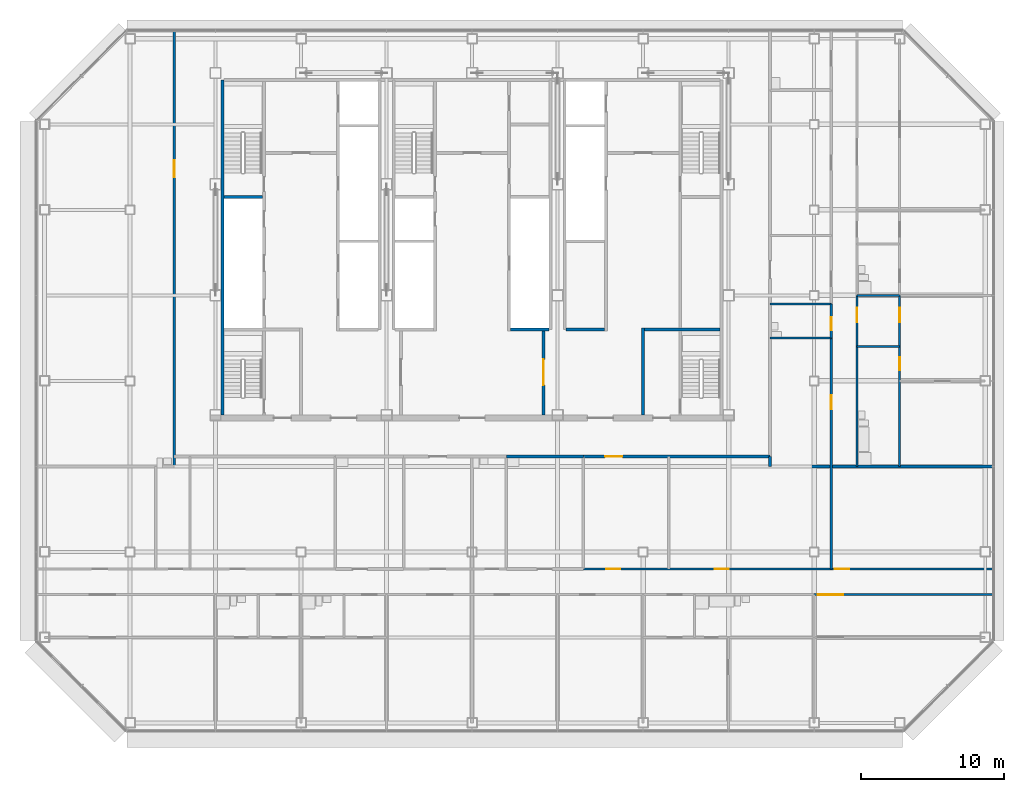
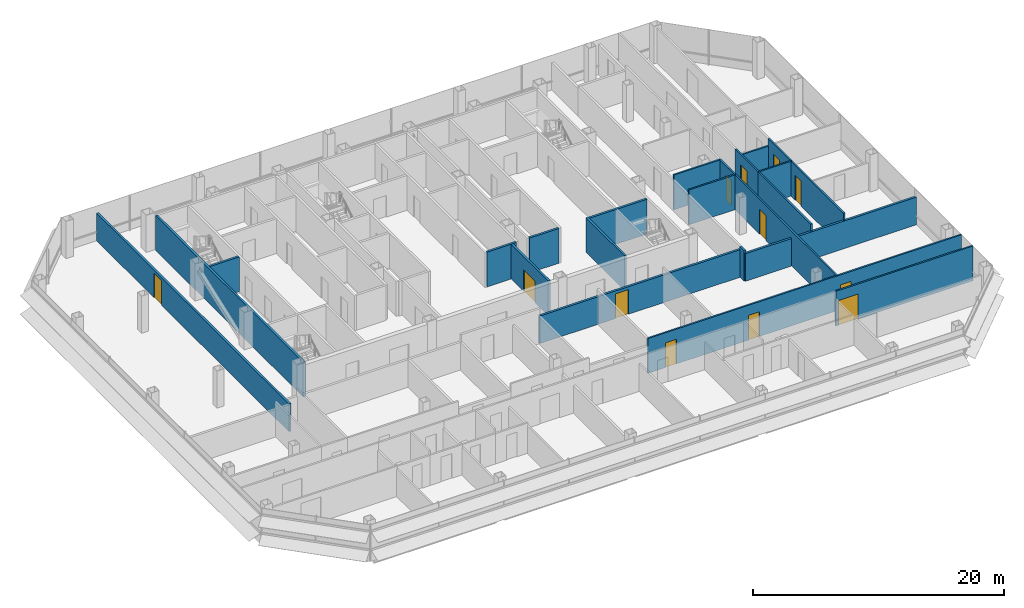
# One storey, part 21 of 26: 24 walls, 12 doors, 12 openings.
"""IFC4 building model written with IfcOpenShell, lengths in metres."""

from ifc_helpers import new_model, si_unit, direction, frame, frame_2d, origin, place, context, subcontext, project, spatial, rectangle, extrude, material, layer, layer_set, type_object, element, fill, save


model = new_model("IFC4")

# Units and contexts
model_context = context("Model", 3, precision=1e-05, world=origin(), true_north=direction((0.0, 1.0)))
body_context = subcontext(model_context, "Body", "Model", "MODEL_VIEW")
ifc_project = project(units=[si_unit("LENGTHUNIT", "METRE"), si_unit("AREAUNIT", "SQUARE_METRE"), si_unit("VOLUMEUNIT", "CUBIC_METRE"), si_unit("PLANEANGLEUNIT", "RADIAN"), si_unit("MASSUNIT", "GRAM", prefix="KILO")], contexts=[model_context])

# Site, building, storey
site_placement = place(None, origin())
site = spatial("IfcSite", under=ifc_project, at=site_placement, CompositionType="ELEMENT")
building_placement = place(site_placement, origin())
building = spatial("IfcBuilding", under=site, at=building_placement, Name="Sorahane Residences", CompositionType="ELEMENT")
storey_placement = place(building_placement, frame((0.0, 0.0, 158.199951171875)))
storey = spatial("IfcBuildingStorey", under=building, at=storey_placement, Name="L36", CompositionType="ELEMENT", Elevation=158.199951171875)

# Wall
ifc_material_1 = material(Name="Concrete C30", Category="concrete")
ifc_layer_1 = layer(ifc_material_1, 0.199951171875)
ifc_layer_set_1 = layer_set([ifc_layer_1], Name="Core face wall 200 EI 180")
wall_type_1 = type_object("IfcWallType", Name="Core face wall 200 EI 180", PredefinedType="SOLIDWALL", material=ifc_layer_set_1)
wall_1_placement = place(storey_placement, frame((6.5, 21.60009765625, 0.0), z_axis=(0.0, 0.0, 1.0), x_axis=(0.0, 1.0, 0.0)))
element("IfcWall", 1, at=wall_1_placement, inside=storey, type_object=wall_type_1, Name="L36 core face wall", PredefinedType="SOLIDWALL", context=body_context, shape_type="SweptSolid", body=[
    extrude(rectangle(XDim=23.5, YDim=0.199951171875, at=frame_2d((11.75, 0.0))), origin(), (0.0, 0.0, 1.0), 3.380126953125),
])

# Wall, opening, door
ifc_material_2 = material(Name="Concrete blockwork C20 wall", Category="masonry")
ifc_layer_2 = layer(ifc_material_2, 0.199951171875)
ifc_layer_set_2 = layer_set([ifc_layer_2], Name="Corridor wall 200 EI 120")
wall_type_2 = type_object("IfcWallType", Name="Corridor wall 200 EI 120", PredefinedType="SOLIDWALL", material=ifc_layer_set_2)
wall_2_placement = place(storey_placement, frame((3.10009765625, 18.0, 0.0), z_axis=(0.0, 0.0, 1.0), x_axis=(0.0, 1.0, 0.0)))
wall_2 = element("IfcWall", 2, at=wall_2_placement, inside=storey, type_object=wall_type_2, Name="L36 corridor wall", PredefinedType="SOLIDWALL", context=body_context, shape_type="SweptSolid", body=[
    extrude(rectangle(XDim=30.60009765625, YDim=0.199951171875, at=frame_2d((15.300048828125, 0.0))), origin(), (0.0, 0.0, 1.0), 2.679931640625),
])
opening_1_placement = place(wall_2_placement, frame((20.27001953125, 0.0, 0.0)))
opening_1 = element("IfcOpeningElement", 3, at=opening_1_placement, cuts=wall_2, Name="Opening L36-45", PredefinedType="OPENING", context=body_context, shape_type="SweptSolid", body=[
    extrude(rectangle(XDim=1.199951171875, YDim=2.39990234375, at=frame_2d((0.60009765625, 1.199951171875))), frame((0.0, 0.10986328125, 0.0), z_axis=(0.0, -1.0, 0.0), x_axis=(1.0, 0.0, 0.0)), (0.0, 0.0, 1.0), 0.219970703125),
])
ifc_material_3 = material(Name="Steel", Category="steel")
door_type_1 = type_object("IfcDoorType", Name="Lobby door 1200x2400 FD60", OperationType="NOTDEFINED", PredefinedType="DOOR", material=ifc_material_3)
door_1_placement = place(opening_1_placement, origin())
door_1 = element("IfcDoor", 4, at=door_1_placement, inside=storey, type_object=door_type_1, Name="Lobby door L36-45", OperationType="SINGLE_SWING_RIGHT", OverallHeight=2.39990234375, OverallWidth=1.199951171875, PredefinedType="DOOR", context=body_context, shape_type="SweptSolid", body=[
    extrude(rectangle(XDim=1.199951171875, YDim=2.39990234375, at=frame_2d((0.60009765625, 1.199951171875))), frame((0.0, 0.02490234375, 0.0), z_axis=(0.0, -1.0, 0.0), x_axis=(1.0, 0.0, 0.0)), (0.0, 0.0, 1.0), 0.050048828125),
])
fill(opening_1, door_1)

wall_3_placement = place(storey_placement, frame((31.800048828125, 18.699951171875, 0.0), z_axis=(0.0, 0.0, 1.0), x_axis=(1.0, 0.0, 0.0)))
wall_3 = element("IfcWall", 5, at=wall_3_placement, inside=storey, type_object=wall_type_2, Name="L36 corridor wall", PredefinedType="SOLIDWALL", context=body_context, shape_type="SweptSolid", body=[
    extrude(rectangle(XDim=13.099853515625, YDim=0.199951171875, at=frame_2d((6.5498046875, 0.0))), origin(), (0.0, 0.0, 1.0), 2.679931640625),
])
opening_2_placement = place(wall_3_placement, frame((1.5400390625, 0.0, 0.0)))
opening_2 = element("IfcOpeningElement", 6, at=opening_2_placement, cuts=wall_3, Name="Opening L36-43", PredefinedType="OPENING", context=body_context, shape_type="SweptSolid", body=[
    extrude(rectangle(XDim=1.199951171875, YDim=2.39990234375, at=frame_2d((0.60009765625, 1.199951171875))), frame((0.0, 0.10986328125, 0.0), z_axis=(0.0, -1.0, 0.0), x_axis=(1.0, 0.0, 0.0)), (0.0, 0.0, 1.0), 0.219970703125),
])
ifc_material_4 = material(Name="Timber veneered fire door", Category="wood")
door_type_2 = type_object("IfcDoorType", Name="Flat entrance door 1200x2400 FD60", OperationType="NOTDEFINED", PredefinedType="DOOR", material=ifc_material_4)
door_2_placement = place(opening_2_placement, frame((1.199951171875, 0.0, 0.0), z_axis=(0.0, 0.0, 1.0), x_axis=(-1.0, 0.0, 0.0)))
door_2 = element("IfcDoor", 7, at=door_2_placement, inside=storey, type_object=door_type_2, Name="Flat entrance door L36-43", OperationType="SINGLE_SWING_RIGHT", OverallHeight=2.39990234375, OverallWidth=1.199951171875, PredefinedType="DOOR", context=body_context, shape_type="SweptSolid", body=[
    extrude(rectangle(XDim=1.199951171875, YDim=2.39990234375, at=frame_2d((0.60009765625, 1.199951171875))), frame((0.0, 0.02490234375, 0.0), z_axis=(0.0, -1.0, 0.0), x_axis=(1.0, 0.0, 0.0)), (0.0, 0.0, 1.0), 0.050048828125),
])
fill(opening_2, door_2)

# Walls
ifc_material_5 = material(Name="Concrete C30", Category="concrete")
ifc_layer_3 = layer(ifc_material_5, 0.199951171875)
ifc_layer_set_3 = layer_set([ifc_layer_3], Name="Front room wall 200 EI 120")
wall_type_3 = type_object("IfcWallType", Name="Front room wall 200 EI 120", PredefinedType="PARTITIONING", material=ifc_layer_set_3)
wall_4_placement = place(storey_placement, frame((36.0, 21.60009765625, 0.0), z_axis=(0.0, 0.0, 1.0), x_axis=(0.0, 1.0, 0.0)))
element("IfcWall", 8, at=wall_4_placement, inside=storey, type_object=wall_type_3, Name="L36 front room wall", PredefinedType="PARTITIONING", context=body_context, shape_type="SweptSolid", body=[
    extrude(rectangle(XDim=6.099853515625, YDim=0.199951171875, at=frame_2d((3.0498046875, 0.0))), origin(), (0.0, 0.0, 1.0), 3.380126953125),
])
ifc_material_6 = material(Name="Concrete blockwork C20 wall", Category="masonry")
ifc_layer_4 = layer(ifc_material_6, 0.199951171875)
ifc_layer_set_4 = layer_set([ifc_layer_4], Name="Kitchen wall 200 EI 180")
wall_type_4 = type_object("IfcWallType", Name="Kitchen wall 200 EI 180", PredefinedType="SOLIDWALL", material=ifc_layer_set_4)
wall_5_placement = place(storey_placement, frame((26.39990234375, 18.699951171875, 0.0), z_axis=(0.0, 0.0, 1.0), x_axis=(1.0, 0.0, 0.0)))
element("IfcWall", 9, at=wall_5_placement, inside=storey, type_object=wall_type_4, Name="L36 kitchen wall", PredefinedType="SOLIDWALL", context=body_context, shape_type="SweptSolid", body=[
    extrude(rectangle(XDim=5.400146484375, YDim=0.199951171875, at=frame_2d((2.7001953125, 0.0))), origin(), (0.0, 0.0, 1.0), 2.679931640625),
])
ifc_material_7 = material(Name="Concrete C30", Category="concrete")
ifc_layer_5 = layer(ifc_material_7, 0.199951171875)
ifc_layer_set_5 = layer_set([ifc_layer_5], Name="Lift shaft wall 200 EI 120")
wall_type_5 = type_object("IfcWallType", Name="Lift shaft wall 200 EI 120", PredefinedType="SOLIDWALL", material=ifc_layer_set_5)
wall_6_placement = place(storey_placement, frame((30.60009765625, 27.60009765625, 0.0), z_axis=(0.0, 0.0, 1.0), x_axis=(1.0, 0.0, 0.0)))
element("IfcWall", 10, at=wall_6_placement, inside=storey, type_object=wall_type_5, Name="L36 lift shaft wall", PredefinedType="SOLIDWALL", context=body_context, shape_type="SweptSolid", body=[
    extrude(rectangle(XDim=2.699951171875, YDim=0.199951171875, at=frame_2d((1.35009765625, 0.0))), origin(), (0.0, 0.0, 1.0), 3.380126953125),
])

# Wall, opening, door
ifc_material_8 = material(Name="Gypsum board partition on steel studs", Category="steel")
ifc_layer_6 = layer(ifc_material_8, 0.14990234375)
ifc_layer_set_6 = layer_set([ifc_layer_6], Name="Partition 150 EI 90")
wall_type_6 = type_object("IfcWallType", Name="Partition 150 EI 90", PredefinedType="PARTITIONING", material=ifc_layer_set_6)
wall_7_placement = place(storey_placement, frame((49.199951171875, 10.800048828125, 0.0), z_axis=(0.0, 0.0, 1.0), x_axis=(0.0, 1.0, 0.0)))
wall_7 = element("IfcWall", 11, at=wall_7_placement, inside=storey, type_object=wall_type_6, Name="L36 partition", PredefinedType="PARTITIONING", context=body_context, shape_type="SweptSolid", body=[
    extrude(rectangle(XDim=16.199951171875, YDim=0.14990234375, at=frame_2d((8.10009765625, 0.0))), origin(), (0.0, 0.0, 1.0), 3.380126953125),
])
opening_3_placement = place(wall_7_placement, frame((11.199951171875, 0.0, 0.0)))
opening_3 = element("IfcOpeningElement", 12, at=opening_3_placement, cuts=wall_7, Name="Opening L36-29", PredefinedType="OPENING", context=body_context, shape_type="SweptSolid", body=[
    extrude(rectangle(XDim=1.0, YDim=2.39990234375, at=frame_2d((0.5, 1.199951171875))), frame((0.0, 0.0849609375, 0.0), z_axis=(0.0, -1.0, 0.0), x_axis=(1.0, 0.0, 0.0)), (0.0, 0.0, 1.0), 0.169921875),
])
ifc_material_9 = material(Name="Timber veneered fire door", Category="wood")
door_type_3 = type_object("IfcDoorType", Name="Room door 1000x2400 FD30", OperationType="NOTDEFINED", PredefinedType="DOOR", material=ifc_material_9)
door_3_placement = place(opening_3_placement, origin())
door_3 = element("IfcDoor", 13, at=door_3_placement, inside=storey, type_object=door_type_3, Name="Room door L36-29", OperationType="SINGLE_SWING_RIGHT", OverallHeight=2.39990234375, OverallWidth=1.0, PredefinedType="DOOR", context=body_context, shape_type="SweptSolid", body=[
    extrude(rectangle(XDim=1.0, YDim=2.39990234375, at=frame_2d((0.5, 1.199951171875))), frame((0.0, 0.02490234375, 0.0), z_axis=(0.0, -1.0, 0.0), x_axis=(1.0, 0.0, 0.0)), (0.0, 0.0, 1.0), 0.050048828125),
])
fill(opening_3, door_3)

wall_8_placement = place(storey_placement, frame((51.0, 26.39990234375, 0.0), z_axis=(0.0, 0.0, 1.0), x_axis=(0.0, 1.0, 0.0)))
wall_8 = element("IfcWall", 14, at=wall_8_placement, inside=storey, type_object=wall_type_6, Name="L36 partition", PredefinedType="PARTITIONING", context=body_context, shape_type="SweptSolid", body=[
    extrude(rectangle(XDim=3.60009765625, YDim=0.14990234375, at=frame_2d((1.800048828125, 0.0))), origin(), (0.0, 0.0, 1.0), 3.380126953125),
])
opening_4_placement = place(wall_8_placement, frame((1.719970703125, 0.0, 0.0)))
opening_4 = element("IfcOpeningElement", 15, at=opening_4_placement, cuts=wall_8, Name="Opening L36-33", PredefinedType="OPENING", context=body_context, shape_type="SweptSolid", body=[
    extrude(rectangle(XDim=1.0, YDim=2.39990234375, at=frame_2d((0.5, 1.199951171875))), frame((0.0, 0.0849609375, 0.0), z_axis=(0.0, -1.0, 0.0), x_axis=(1.0, 0.0, 0.0)), (0.0, 0.0, 1.0), 0.169921875),
])
door_4_placement = place(opening_4_placement, frame((1.0, 0.0, 0.0), z_axis=(0.0, 0.0, 1.0), x_axis=(-1.0, 0.0, 0.0)))
door_4 = element("IfcDoor", 16, at=door_4_placement, inside=storey, type_object=door_type_3, Name="Room door L36-33", OperationType="SINGLE_SWING_LEFT", OverallHeight=2.39990234375, OverallWidth=1.0, PredefinedType="DOOR", context=body_context, shape_type="SweptSolid", body=[
    extrude(rectangle(XDim=1.0, YDim=2.39990234375, at=frame_2d((0.5, 1.199951171875))), frame((0.0, 0.02490234375, 0.0), z_axis=(0.0, -1.0, 0.0), x_axis=(1.0, 0.0, 0.0)), (0.0, 0.0, 1.0), 0.050048828125),
])
fill(opening_4, door_4)

wall_9_placement = place(storey_placement, frame((54.0, 26.39990234375, 0.0), z_axis=(0.0, 0.0, 1.0), x_axis=(0.0, 1.0, 0.0)))
wall_9 = element("IfcWall", 17, at=wall_9_placement, inside=storey, type_object=wall_type_6, Name="L36 partition", PredefinedType="PARTITIONING", context=body_context, shape_type="SweptSolid", body=[
    extrude(rectangle(XDim=3.60009765625, YDim=0.14990234375, at=frame_2d((1.800048828125, 0.0))), origin(), (0.0, 0.0, 1.0), 3.380126953125),
])
opening_5_placement = place(wall_9_placement, frame((1.719970703125, 0.0, 0.0)))
opening_5 = element("IfcOpeningElement", 18, at=opening_5_placement, cuts=wall_9, Name="Opening L36-36", PredefinedType="OPENING", context=body_context, shape_type="SweptSolid", body=[
    extrude(rectangle(XDim=1.0, YDim=2.39990234375, at=frame_2d((0.5, 1.199951171875))), frame((0.0, 0.0849609375, 0.0), z_axis=(0.0, -1.0, 0.0), x_axis=(1.0, 0.0, 0.0)), (0.0, 0.0, 1.0), 0.169921875),
])
door_5_placement = place(opening_5_placement, frame((1.0, 0.0, 0.0), z_axis=(0.0, 0.0, 1.0), x_axis=(-1.0, 0.0, 0.0)))
door_5 = element("IfcDoor", 19, at=door_5_placement, inside=storey, type_object=door_type_3, Name="Room door L36-36", OperationType="SINGLE_SWING_LEFT", OverallHeight=2.39990234375, OverallWidth=1.0, PredefinedType="DOOR", context=body_context, shape_type="SweptSolid", body=[
    extrude(rectangle(XDim=1.0, YDim=2.39990234375, at=frame_2d((0.5, 1.199951171875))), frame((0.0, 0.02490234375, 0.0), z_axis=(0.0, -1.0, 0.0), x_axis=(1.0, 0.0, 0.0)), (0.0, 0.0, 1.0), 0.050048828125),
])
fill(opening_5, door_5)

# Wall, openings, doors
wall_10_placement = place(storey_placement, frame((31.800048828125, 10.800048828125, 0.0), z_axis=(0.0, 0.0, 1.0), x_axis=(1.0, 0.0, 0.0)))
wall_10 = element("IfcWall", 20, at=wall_10_placement, inside=storey, type_object=wall_type_6, Name="L36 partition", PredefinedType="PARTITIONING", context=body_context, shape_type="SweptSolid", body=[
    extrude(rectangle(XDim=28.800048828125, YDim=0.14990234375, at=frame_2d((14.39990234375, 0.0))), origin(), (0.0, 0.0, 1.0), 3.380126953125),
])
opening_6_placement = place(wall_10_placement, frame((1.60009765625, 0.0, 0.0)))
opening_6 = element("IfcOpeningElement", 21, at=opening_6_placement, cuts=wall_10, Name="Opening L36-15", PredefinedType="OPENING", context=body_context, shape_type="SweptSolid", body=[
    extrude(rectangle(XDim=1.0, YDim=2.39990234375, at=frame_2d((0.5, 1.199951171875))), frame((0.0, 0.0849609375, 0.0), z_axis=(0.0, -1.0, 0.0), x_axis=(1.0, 0.0, 0.0)), (0.0, 0.0, 1.0), 0.169921875),
])
opening_7_placement = place(wall_10_placement, frame((9.219970703125, 0.0, 0.0)))
opening_7 = element("IfcOpeningElement", 22, at=opening_7_placement, cuts=wall_10, Name="Opening L36-18", PredefinedType="OPENING", context=body_context, shape_type="SweptSolid", body=[
    extrude(rectangle(XDim=1.0, YDim=2.39990234375, at=frame_2d((0.5, 1.199951171875))), frame((0.0, 0.0849609375, 0.0), z_axis=(0.0, -1.0, 0.0), x_axis=(1.0, 0.0, 0.0)), (0.0, 0.0, 1.0), 0.169921875),
])
opening_8_placement = place(wall_10_placement, frame((17.64990234375, 0.0, 0.0)))
opening_8 = element("IfcOpeningElement", 23, at=opening_8_placement, cuts=wall_10, Name="Opening L36-19", PredefinedType="OPENING", context=body_context, shape_type="SweptSolid", body=[
    extrude(rectangle(XDim=1.0, YDim=2.39990234375, at=frame_2d((0.5, 1.199951171875))), frame((0.0, 0.0849609375, 0.0), z_axis=(0.0, -1.0, 0.0), x_axis=(1.0, 0.0, 0.0)), (0.0, 0.0, 1.0), 0.169921875),
])
door_6_placement = place(opening_6_placement, frame((1.0, 0.0, 0.0), z_axis=(0.0, 0.0, 1.0), x_axis=(-1.0, 0.0, 0.0)))
door_6 = element("IfcDoor", 24, at=door_6_placement, inside=storey, type_object=door_type_3, Name="Room door L36-15", OperationType="SINGLE_SWING_LEFT", OverallHeight=2.39990234375, OverallWidth=1.0, PredefinedType="DOOR", context=body_context, shape_type="SweptSolid", body=[
    extrude(rectangle(XDim=1.0, YDim=2.39990234375, at=frame_2d((0.5, 1.199951171875))), frame((0.0, 0.02490234375, 0.0), z_axis=(0.0, -1.0, 0.0), x_axis=(1.0, 0.0, 0.0)), (0.0, 0.0, 1.0), 0.050048828125),
])
fill(opening_6, door_6)
door_7_placement = place(opening_7_placement, origin())
door_7 = element("IfcDoor", 25, at=door_7_placement, inside=storey, type_object=door_type_3, Name="Room door L36-18", OperationType="SINGLE_SWING_LEFT", OverallHeight=2.39990234375, OverallWidth=1.0, PredefinedType="DOOR", context=body_context, shape_type="SweptSolid", body=[
    extrude(rectangle(XDim=1.0, YDim=2.39990234375, at=frame_2d((0.5, 1.199951171875))), frame((0.0, 0.02490234375, 0.0), z_axis=(0.0, -1.0, 0.0), x_axis=(1.0, 0.0, 0.0)), (0.0, 0.0, 1.0), 0.050048828125),
])
fill(opening_7, door_7)
door_8_placement = place(opening_8_placement, origin())
door_8 = element("IfcDoor", 26, at=door_8_placement, inside=storey, type_object=door_type_3, Name="Room door L36-19", OperationType="SINGLE_SWING_LEFT", OverallHeight=2.39990234375, OverallWidth=1.0, PredefinedType="DOOR", context=body_context, shape_type="SweptSolid", body=[
    extrude(rectangle(XDim=1.0, YDim=2.39990234375, at=frame_2d((0.5, 1.199951171875))), frame((0.0, 0.02490234375, 0.0), z_axis=(0.0, -1.0, 0.0), x_axis=(1.0, 0.0, 0.0)), (0.0, 0.0, 1.0), 0.050048828125),
])
fill(opening_8, door_8)

# Wall, opening, door
wall_11_placement = place(storey_placement, frame((48.0, 9.0, 0.0), z_axis=(0.0, 0.0, 1.0), x_axis=(1.0, 0.0, 0.0)))
wall_11 = element("IfcWall", 27, at=wall_11_placement, inside=storey, type_object=wall_type_6, Name="L36 partition", PredefinedType="PARTITIONING", context=body_context, shape_type="SweptSolid", body=[
    extrude(rectangle(XDim=12.60009765625, YDim=0.14990234375, at=frame_2d((6.300048828125, 0.0))), origin(), (0.0, 0.0, 1.0), 3.380126953125),
])
opening_9_placement = place(wall_11_placement, frame((0.25, 0.0, 0.0)))
opening_9 = element("IfcOpeningElement", 28, at=opening_9_placement, cuts=wall_11, Name="Opening L36-23", PredefinedType="OPENING", context=body_context, shape_type="SweptSolid", body=[
    extrude(rectangle(XDim=1.800048828125, YDim=2.39990234375, at=frame_2d((0.89990234375, 1.199951171875))), frame((0.0, 0.0849609375, 0.0), z_axis=(0.0, -1.0, 0.0), x_axis=(1.0, 0.0, 0.0)), (0.0, 0.0, 1.0), 0.169921875),
])
ifc_material_10 = material(Name="Timber veneered fire door", Category="wood")
door_type_4 = type_object("IfcDoorType", Name="Double door 1800x2400 FD30", OperationType="NOTDEFINED", PredefinedType="DOOR", material=ifc_material_10)
door_9_placement = place(opening_9_placement, frame((1.800048828125, 0.0, 0.0), z_axis=(0.0, 0.0, 1.0), x_axis=(-1.0, 0.0, 0.0)))
door_9 = element("IfcDoor", 29, at=door_9_placement, inside=storey, type_object=door_type_4, Name="Double door L36-23", OperationType="SINGLE_SWING_RIGHT", OverallHeight=2.39990234375, OverallWidth=1.800048828125, PredefinedType="DOOR", context=body_context, shape_type="SweptSolid", body=[
    extrude(rectangle(XDim=1.800048828125, YDim=2.39990234375, at=frame_2d((0.89990234375, 1.199951171875))), frame((0.0, 0.02490234375, 0.0), z_axis=(0.0, -1.0, 0.0), x_axis=(1.0, 0.0, 0.0)), (0.0, 0.0, 1.0), 0.050048828125),
])
fill(opening_9, door_9)

# Walls
ifc_material_11 = material(Name="Concrete blockwork C20 wall", Category="masonry")
ifc_layer_7 = layer(ifc_material_11, 0.199951171875)
ifc_layer_set_7 = layer_set([ifc_layer_7], Name="Party wall 200 EI 120")
wall_type_7 = type_object("IfcWallType", Name="Party wall 200 EI 120", PredefinedType="SOLIDWALL", material=ifc_layer_set_7)
wall_12_placement = place(storey_placement, frame((44.89990234375, 18.0, 0.0), z_axis=(0.0, 0.0, 1.0), x_axis=(0.0, 1.0, 0.0)))
element("IfcWall", 30, at=wall_12_placement, inside=storey, type_object=wall_type_7, Name="L36 party wall", PredefinedType="SOLIDWALL", context=body_context, shape_type="SweptSolid", body=[
    extrude(rectangle(XDim=0.699951171875, YDim=0.199951171875, at=frame_2d((0.35009765625, 0.0))), origin(), (0.0, 0.0, 1.0), 2.929931640625),
])
wall_13_placement = place(storey_placement, frame((44.89990234375, 18.0, 0.0), z_axis=(0.0, 0.0, 1.0), x_axis=(1.0, 0.0, 0.0)))
element("IfcWall", 31, at=wall_13_placement, inside=storey, type_object=wall_type_7, Name="L36 party wall", PredefinedType="SOLIDWALL", context=body_context, shape_type="SweptSolid", body=[
    extrude(rectangle(XDim=15.7001953125, YDim=0.199951171875, at=frame_2d((7.85009765625, 0.0))), origin(), (0.0, 0.0, 1.0), 2.679931640625),
])
ifc_material_12 = material(Name="Concrete C30", Category="concrete")
ifc_layer_8 = layer(ifc_material_12, 0.199951171875)
ifc_layer_set_8 = layer_set([ifc_layer_8], Name="Riser shaft wall 200 EI 120")
wall_type_8 = type_object("IfcWallType", Name="Riser shaft wall 200 EI 120", PredefinedType="SOLIDWALL", material=ifc_layer_set_8)
wall_14_placement = place(storey_placement, frame((26.699951171875, 27.60009765625, 0.0), z_axis=(0.0, 0.0, 1.0), x_axis=(1.0, 0.0, 0.0)))
element("IfcWall", 32, at=wall_14_placement, inside=storey, type_object=wall_type_8, Name="L36 riser wall", PredefinedType="SOLIDWALL", context=body_context, shape_type="SweptSolid", body=[
    extrude(rectangle(XDim=2.699951171875, YDim=0.199951171875, at=frame_2d((1.35009765625, 0.0))), origin(), (0.0, 0.0, 1.0), 3.380126953125),
])

# Wall, opening, door
ifc_material_13 = material(Name="Concrete C30", Category="concrete")
ifc_layer_9 = layer(ifc_material_13, 0.199951171875)
ifc_layer_set_9 = layer_set([ifc_layer_9], Name="Service room partition 200 EI 60")
wall_type_9 = type_object("IfcWallType", Name="Service room partition 200 EI 60", PredefinedType="PARTITIONING", material=ifc_layer_set_9)
wall_15_placement = place(storey_placement, frame((29.0, 21.60009765625, 0.0), z_axis=(0.0, 0.0, 1.0), x_axis=(0.0, 1.0, 0.0)))
wall_15 = element("IfcWall", 33, at=wall_15_placement, inside=storey, type_object=wall_type_9, Name="L36 service room wall", PredefinedType="PARTITIONING", context=body_context, shape_type="SweptSolid", body=[
    extrude(rectangle(XDim=6.0, YDim=0.199951171875, at=frame_2d((3.0, 0.0))), origin(), (0.0, 0.0, 1.0), 3.380126953125),
])
opening_10_placement = place(wall_15_placement, frame((2.10009765625, 0.0, 0.0)))
opening_10 = element("IfcOpeningElement", 34, at=opening_10_placement, cuts=wall_15, Name="Opening L36-C04", PredefinedType="OPENING", context=body_context, shape_type="SweptSolid", body=[
    extrude(rectangle(XDim=1.800048828125, YDim=2.10009765625, at=frame_2d((0.89990234375, 1.050048828125))), frame((0.0, 0.10986328125, 0.0), z_axis=(0.0, -1.0, 0.0), x_axis=(1.0, 0.0, 0.0)), (0.0, 0.0, 1.0), 0.219970703125),
])
ifc_material_14 = material(Name="Steel", Category="steel")
door_type_5 = type_object("IfcDoorType", Name="Waiting hall door 1800x2100 FD60", OperationType="NOTDEFINED", PredefinedType="DOOR", material=ifc_material_14)
door_10_placement = place(opening_10_placement, origin())
door_10 = element("IfcDoor", 35, at=door_10_placement, inside=storey, type_object=door_type_5, Name="Waiting hall door Residents' waiting hall centre L36", OperationType="SINGLE_SWING_LEFT", OverallHeight=2.10009765625, OverallWidth=1.800048828125, PredefinedType="DOOR", context=body_context, shape_type="SweptSolid", body=[
    extrude(rectangle(XDim=1.800048828125, YDim=2.10009765625, at=frame_2d((0.89990234375, 1.050048828125))), frame((0.0, 0.02490234375, 0.0), z_axis=(0.0, -1.0, 0.0), x_axis=(1.0, 0.0, 0.0)), (0.0, 0.0, 1.0), 0.050048828125),
])
fill(opening_10, door_10)

# Walls
ifc_material_15 = material(Name="Concrete C30", Category="concrete")
ifc_layer_10 = layer(ifc_material_15, 0.199951171875)
ifc_layer_set_10 = layer_set([ifc_layer_10], Name="Stair enclosure wall 200 EI 120")
wall_type_10 = type_object("IfcWallType", Name="Stair enclosure wall 200 EI 120", PredefinedType="SOLIDWALL", material=ifc_layer_set_10)
wall_16_placement = place(storey_placement, frame((36.10009765625, 27.60009765625, 0.0), z_axis=(0.0, 0.0, 1.0), x_axis=(1.0, 0.0, 0.0)))
element("IfcWall", 36, at=wall_16_placement, inside=storey, type_object=wall_type_10, Name="L36 stair enclosure wall", PredefinedType="SOLIDWALL", context=body_context, shape_type="SweptSolid", body=[
    extrude(rectangle(XDim=5.2998046875, YDim=0.199951171875, at=frame_2d((2.64990234375, 0.0))), origin(), (0.0, 0.0, 1.0), 3.380126953125),
])
wall_17_placement = place(storey_placement, frame((6.60009765625, 36.89990234375, 0.0), z_axis=(0.0, 0.0, 1.0), x_axis=(1.0, 0.0, 0.0)))
element("IfcWall", 37, at=wall_17_placement, inside=storey, type_object=wall_type_10, Name="L36 stair enclosure wall", PredefinedType="SOLIDWALL", context=body_context, shape_type="SweptSolid", body=[
    extrude(rectangle(XDim=2.699951171875, YDim=0.199951171875, at=frame_2d((1.35009765625, 0.0))), origin(), (0.0, 0.0, 1.0), 3.380126953125),
])

# Wall, opening, door
ifc_material_16 = material(Name="Gypsum board partition on steel studs", Category="steel")
ifc_layer_11 = layer(ifc_material_16, 0.14990234375)
ifc_layer_set_11 = layer_set([ifc_layer_11], Name="Wet wall 150 EI 90")
wall_type_11 = type_object("IfcWallType", Name="Wet wall 150 EI 90", PredefinedType="PARTITIONING", material=ifc_layer_set_11)
wall_18_placement = place(storey_placement, frame((49.199951171875, 27.0, 0.0), z_axis=(0.0, 0.0, 1.0), x_axis=(0.0, 1.0, 0.0)))
wall_18 = element("IfcWall", 38, at=wall_18_placement, inside=storey, type_object=wall_type_11, Name="L36 wet wall", PredefinedType="PARTITIONING", context=body_context, shape_type="SweptSolid", body=[
    extrude(rectangle(XDim=2.39990234375, YDim=0.14990234375, at=frame_2d((1.199951171875, 0.0))), origin(), (0.0, 0.0, 1.0), 3.380126953125),
])
opening_11_placement = place(wall_18_placement, frame((0.550048828125, 0.0, 0.0)))
opening_11 = element("IfcOpeningElement", 39, at=opening_11_placement, cuts=wall_18, Name="Opening L36-30", PredefinedType="OPENING", context=body_context, shape_type="SweptSolid", body=[
    extrude(rectangle(XDim=0.89990234375, YDim=2.39990234375, at=frame_2d((0.449951171875, 1.199951171875))), frame((0.0, 0.0849609375, 0.0), z_axis=(0.0, -1.0, 0.0), x_axis=(1.0, 0.0, 0.0)), (0.0, 0.0, 1.0), 0.169921875),
])
ifc_material_17 = material(Name="Timber veneered fire door", Category="wood")
door_type_6 = type_object("IfcDoorType", Name="Bathroom door 900x2400 FD30", OperationType="NOTDEFINED", PredefinedType="DOOR", material=ifc_material_17)
door_11_placement = place(opening_11_placement, frame((0.89990234375, 0.0, 0.0), z_axis=(0.0, 0.0, 1.0), x_axis=(-1.0, 0.0, 0.0)))
door_11 = element("IfcDoor", 40, at=door_11_placement, inside=storey, type_object=door_type_6, Name="Bathroom door L36-30", OperationType="SINGLE_SWING_LEFT", OverallHeight=2.39990234375, OverallWidth=0.89990234375, PredefinedType="DOOR", context=body_context, shape_type="SweptSolid", body=[
    extrude(rectangle(XDim=0.89990234375, YDim=2.39990234375, at=frame_2d((0.449951171875, 1.199951171875))), frame((0.0, 0.02490234375, 0.0), z_axis=(0.0, -1.0, 0.0), x_axis=(1.0, 0.0, 0.0)), (0.0, 0.0, 1.0), 0.050048828125),
])
fill(opening_11, door_11)

# Wall
wall_19_placement = place(storey_placement, frame((51.0, 18.0, 0.0), z_axis=(0.0, 0.0, 1.0), x_axis=(0.0, 1.0, 0.0)))
element("IfcWall", 41, at=wall_19_placement, inside=storey, type_object=wall_type_11, Name="L36 wet wall", PredefinedType="PARTITIONING", context=body_context, shape_type="SweptSolid", body=[
    extrude(rectangle(XDim=8.39990234375, YDim=0.14990234375, at=frame_2d((4.199951171875, 0.0))), origin(), (0.0, 0.0, 1.0), 3.380126953125),
])

# Wall, opening, door
wall_20_placement = place(storey_placement, frame((54.0, 18.0, 0.0), z_axis=(0.0, 0.0, 1.0), x_axis=(0.0, 1.0, 0.0)))
wall_20 = element("IfcWall", 42, at=wall_20_placement, inside=storey, type_object=wall_type_11, Name="L36 wet wall", PredefinedType="PARTITIONING", context=body_context, shape_type="SweptSolid", body=[
    extrude(rectangle(XDim=8.39990234375, YDim=0.14990234375, at=frame_2d((4.199951171875, 0.0))), origin(), (0.0, 0.0, 1.0), 3.380126953125),
])
opening_12_placement = place(wall_20_placement, frame((6.75, 0.0, 0.0)))
opening_12 = element("IfcOpeningElement", 43, at=opening_12_placement, cuts=wall_20, Name="Opening L36-38", PredefinedType="OPENING", context=body_context, shape_type="SweptSolid", body=[
    extrude(rectangle(XDim=0.89990234375, YDim=2.39990234375, at=frame_2d((0.449951171875, 1.199951171875))), frame((0.0, 0.0849609375, 0.0), z_axis=(0.0, -1.0, 0.0), x_axis=(1.0, 0.0, 0.0)), (0.0, 0.0, 1.0), 0.169921875),
])
door_12_placement = place(opening_12_placement, frame((0.89990234375, 0.0, 0.0), z_axis=(0.0, 0.0, 1.0), x_axis=(-1.0, 0.0, 0.0)))
door_12 = element("IfcDoor", 44, at=door_12_placement, inside=storey, type_object=door_type_6, Name="Bathroom door L36-38", OperationType="SINGLE_SWING_RIGHT", OverallHeight=2.39990234375, OverallWidth=0.89990234375, PredefinedType="DOOR", context=body_context, shape_type="SweptSolid", body=[
    extrude(rectangle(XDim=0.89990234375, YDim=2.39990234375, at=frame_2d((0.449951171875, 1.199951171875))), frame((0.0, 0.02490234375, 0.0), z_axis=(0.0, -1.0, 0.0), x_axis=(1.0, 0.0, 0.0)), (0.0, 0.0, 1.0), 0.050048828125),
])
fill(opening_12, door_12)

# Walls
wall_21_placement = place(storey_placement, frame((51.0, 26.39990234375, 0.0), z_axis=(0.0, 0.0, 1.0), x_axis=(1.0, 0.0, 0.0)))
element("IfcWall", 45, at=wall_21_placement, inside=storey, type_object=wall_type_11, Name="L36 wet wall", PredefinedType="PARTITIONING", context=body_context, shape_type="SweptSolid", body=[
    extrude(rectangle(XDim=3.0, YDim=0.14990234375, at=frame_2d((1.5, 0.0))), origin(), (0.0, 0.0, 1.0), 3.380126953125),
])
for number, where, z_axis, x_axis, name in (
    (46, (44.89990234375, 27.0, 0.0), (0.0, 0.0, 1.0), (1.0, 0.0, 0.0), "L36 wet wall"),
    (47, (44.89990234375, 29.39990234375, 0.0), (0.0, 0.0, 1.0), (1.0, 0.0, 0.0), "L36 wet wall"),
):
    element("IfcWall", number, at=place(storey_placement, frame(where, z_axis=z_axis, x_axis=x_axis)), inside=storey, type_object=wall_type_11, Name=name, PredefinedType="PARTITIONING", context=body_context, shape_type="SweptSolid", body=[
        extrude(rectangle(XDim=4.300048828125, YDim=0.14990234375, at=frame_2d((2.14990234375, 0.0))), origin(), (0.0, 0.0, 1.0), 3.380126953125),
    ])
wall_22_placement = place(storey_placement, frame((51.0, 30.0, 0.0), z_axis=(0.0, 0.0, 1.0), x_axis=(1.0, 0.0, 0.0)))
element("IfcWall", 48, at=wall_22_placement, inside=storey, type_object=wall_type_11, Name="L36 wet wall", PredefinedType="PARTITIONING", context=body_context, shape_type="SweptSolid", body=[
    extrude(rectangle(XDim=3.0, YDim=0.14990234375, at=frame_2d((1.5, 0.0))), origin(), (0.0, 0.0, 1.0), 2.679931640625),
])

save(model, "model.ifc")
